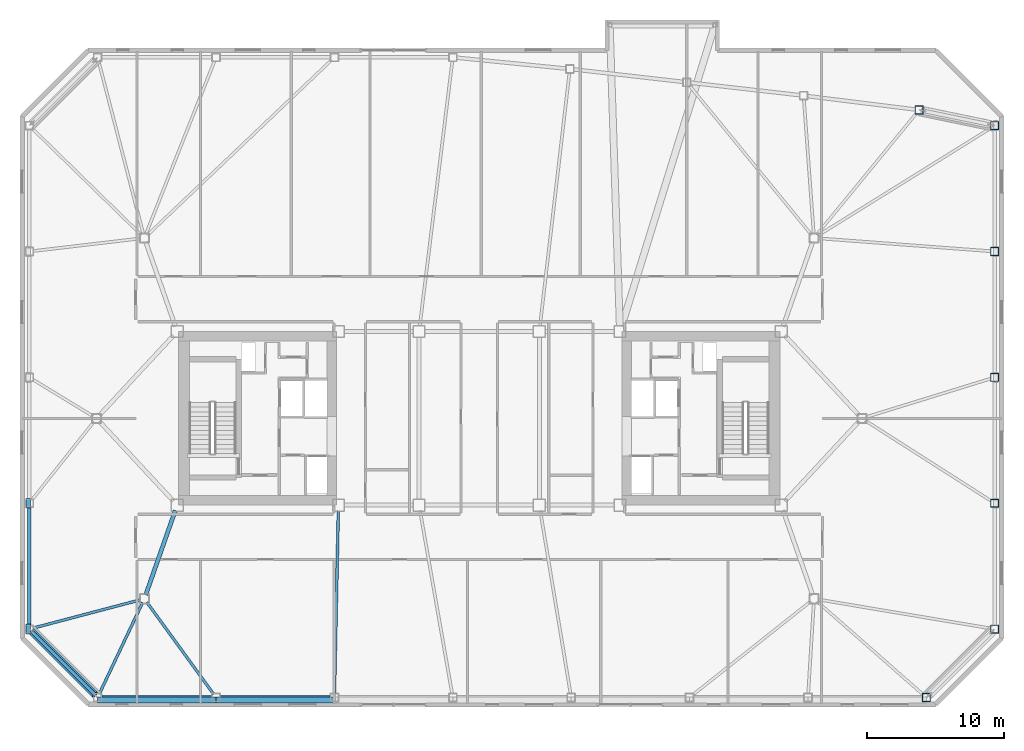
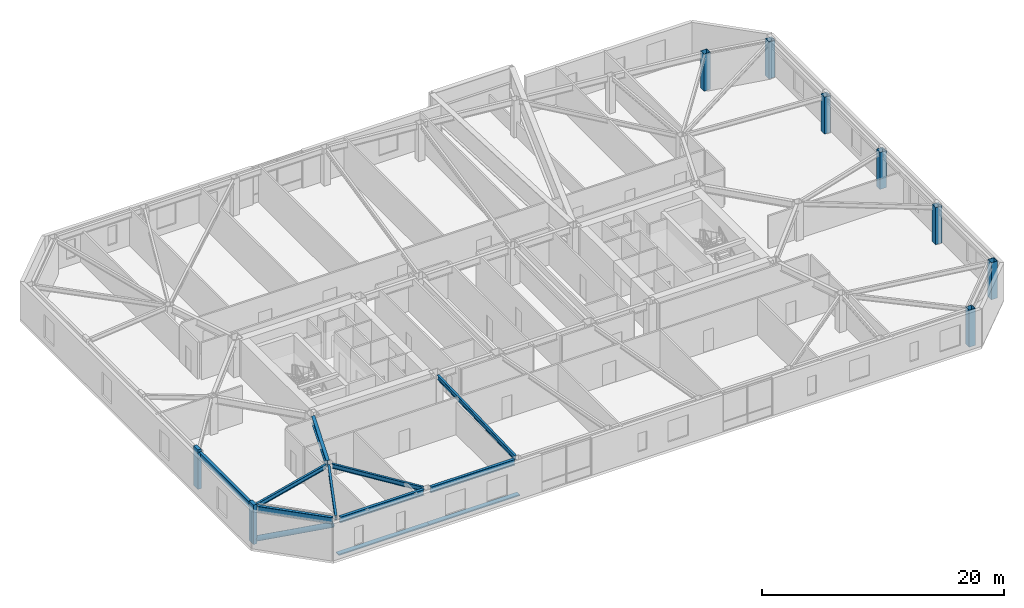
# One storey, part 3 of 18: 9 beams, 7 columns, 5 members.
"""IFC4 building model written with IfcOpenShell, lengths in metres."""

from ifc_helpers import new_model, si_unit, direction, frame, origin, origin_2d, place, context, subcontext, project, spatial, rectangle, hollow_rectangle, hollow_circle, i_section, extrude, material, material_profile, profile_set, type_object, element, save


model = new_model("IFC4")

# Units and contexts
model_context = context("Model", 3, precision=1e-05, world=origin(), true_north=direction((0.0, 1.0)))
body_context = subcontext(model_context, "Body", "Model", "MODEL_VIEW")
ifc_project = project(units=[si_unit("LENGTHUNIT", "METRE"), si_unit("AREAUNIT", "SQUARE_METRE"), si_unit("VOLUMEUNIT", "CUBIC_METRE"), si_unit("PLANEANGLEUNIT", "RADIAN"), si_unit("MASSUNIT", "GRAM", prefix="KILO")], contexts=[model_context])

# Site, building, storey
site_placement = place(None, origin())
site = spatial("IfcSite", under=ifc_project, at=site_placement, CompositionType="ELEMENT")
building_placement = place(site_placement, origin())
building = spatial("IfcBuilding", under=site, at=building_placement, Name="Tavrogorsk Clinical Tower", CompositionType="ELEMENT")
storey_placement = place(building_placement, frame((0.0, 0.0, 180.199951171875)))
storey = spatial("IfcBuildingStorey", under=building, at=storey_placement, Name="L41", CompositionType="ELEMENT", Elevation=180.199951171875)

# Columns
ifc_material_1 = material(Name="Structural steel S440", Category="steel")
ifc_material_profile_1 = material_profile(ifc_material_1, hollow_rectangle(XDim=0.60009765625, YDim=0.60009765625, WallThickness=0.028076171875, at=origin_2d()), Name="BOX-600x600x28")
ifc_profile_set_1 = profile_set([ifc_material_profile_1], Name="Structural steel S440")
column_type = type_object("IfcColumnType", Name="PerimCol_B3_BOX600", PredefinedType="COLUMN", material=ifc_profile_set_1)
for number, where, z_axis, x_axis, name in (
    (1, (32.719970703125, -20.419921875, 0.0), (0.0, 0.0, 1.0), (1.0, 0.0, 0.0), "L41 Perimeter Column S8"),
    (2, (32.19140625, 22.56591796875, 0.0), (0.0, 0.0, 1.0), (1.0, 0.0, 0.0), "L41 Perimeter Column N1"),
    (3, (37.719970703125, -15.419921875, 0.0), (0.0, 0.0, 1.0), (1.0, 0.0, 0.0), "L41 Perimeter Column E1"),
    (4, (37.719970703125, -6.2099609375, 0.0), (0.0, 0.0, 1.0), (1.0, 0.0, 0.0), "L41 Perimeter Column E2"),
    (5, (37.719970703125, 3.0, 0.0), (0.0, 0.0, 1.0), (1.0, 0.0, 0.0), "L41 Perimeter Column E3"),
    (6, (37.719970703125, 12.2099609375, 0.0), (0.0, 0.0, 1.0), (1.0, 0.0, 0.0), "L41 Perimeter Column E4"),
    (7, (37.719970703125, 21.419921875, 0.0), (0.0, 0.0, 1.0), (1.0, 0.0, 0.0), "L41 Perimeter Column E5"),
):
    element("IfcColumn", number, at=place(storey_placement, frame(where, z_axis=z_axis, x_axis=x_axis)), inside=storey, type_object=column_type, Name=name, PredefinedType="COLUMN", context=body_context, shape_type="SweptSolid", body=[
        extrude(hollow_rectangle(XDim=0.60009765625, YDim=0.60009765625, WallThickness=0.028076171875, at=origin_2d()), origin(), (0.0, 0.0, 1.0), 3.739990234375),
    ])

# Members
ifc_material_2 = material(Name="Anodised aluminium alloy AW-6063", Category="aluminium")
ifc_material_profile_2 = material_profile(ifc_material_2, rectangle(XDim=0.449951171875, YDim=0.1201171875, at=origin_2d()), Name="ALU-SUNSHADE-450x120")
ifc_profile_set_2 = profile_set([ifc_material_profile_2], Name="Anodised aluminium alloy AW-6063")
member_type_1 = type_object("IfcMemberType", Name="ChicagoSunshade_450x120", PredefinedType="USERDEFINED", material=ifc_profile_set_2)
for number, where, z_axis, x_axis, name in (
    (8, (-27.919921875, -20.60009765625, 0.179931640625), (1.0, 0.0, 0.0), (0.0, 1.0, 0.0), "L41 South Aluminium Sunshade S1"),
    (9, (-19.257080078125, -20.60009765625, 0.179931640625), (1.0, 0.0, 0.0), (0.0, 1.0, 0.0), "L41 South Aluminium Sunshade S2"),
):
    element("IfcMember", number, at=place(storey_placement, frame(where, z_axis=z_axis, x_axis=x_axis)), inside=storey, type_object=member_type_1, Name=name, ObjectType="SUNSHADE", PredefinedType="USERDEFINED", context=body_context, shape_type="SweptSolid", body=[
        extrude(rectangle(XDim=0.449951171875, YDim=0.1201171875, at=origin_2d()), origin(), (0.0, 0.0, 1.0), 8.662841796875),
    ])
ifc_material_3 = material(Name="Structural steel S440", Category="steel")
ifc_material_profile_3 = material_profile(ifc_material_3, hollow_circle(Radius=0.25390625, WallThickness=0.02001953125, at=origin_2d()), Name="CHS-508x20")
ifc_profile_set_3 = profile_set([ifc_material_profile_3], Name="Structural steel S440")
member_type_2 = type_object("IfcMemberType", Name="ExoBrace_CHS508", PredefinedType="BRACE", material=ifc_profile_set_3)
member_placement = place(storey_placement, frame((-32.717529296875, -15.62255859375, 0.4130859375), z_axis=(0.657758524103, -0.657758524103, 0.367025132572), x_axis=(0.707106781187, 0.707106781187, 0.0)))
element("IfcMember", 10, at=member_placement, inside=storey, type_object=member_type_2, Name="L41 Corner Exoskeleton Brace W5-S1", PredefinedType="BRACE", context=body_context, shape_type="SweptSolid", body=[
    extrude(hollow_circle(Radius=0.25390625, WallThickness=0.02001953125, at=origin_2d()), origin(), (0.0, 0.0, 1.0), 6.98583984375),
])

# Beams
ifc_material_4 = material(Name="Structural steel S355", Category="steel")
ifc_material_profile_4 = material_profile(ifc_material_4, i_section(OverallWidth=0.199951171875, OverallDepth=0.449951171875, WebThickness=0.011474609375, FlangeThickness=0.01806640625, at=origin_2d()), Name="B-450x200x11.5x18")
ifc_profile_set_4 = profile_set([ifc_material_profile_4], Name="Structural steel S355")
beam_type_1 = type_object("IfcBeamType", Name="FloorBeam_B450", PredefinedType="BEAM", material=ifc_profile_set_4)
beam_1_placement = place(storey_placement, frame((-24.6328125, -13.480224609375, 3.51513671875), z_axis=(-0.428073530385, -0.90374390874, 0.0), x_axis=(0.90374390874, -0.428073530385, 0.0)))
element("IfcBeam", 11, at=beam_1_placement, inside=storey, type_object=beam_type_1, Name="L41 Radial Floor Beam S1", PredefinedType="BEAM", context=body_context, shape_type="SweptSolid", body=[
    extrude(i_section(OverallWidth=0.199951171875, OverallDepth=0.449951171875, WebThickness=0.011474609375, FlangeThickness=0.01806640625, at=origin_2d()), origin(), (0.0, 0.0, 1.0), 7.370849609375),
])
beam_2_placement = place(storey_placement, frame((-24.31787109375, -13.450927734375, 3.51513671875), z_axis=(0.587591229638, -0.809157924544, 0.0), x_axis=(0.809157924544, 0.587591229638, 0.0)))
element("IfcBeam", 12, at=beam_2_placement, inside=storey, type_object=beam_type_1, Name="L41 Radial Floor Beam S2", PredefinedType="BEAM", context=body_context, shape_type="SweptSolid", body=[
    extrude(i_section(OverallWidth=0.199951171875, OverallDepth=0.449951171875, WebThickness=0.011474609375, FlangeThickness=0.01806640625, at=origin_2d()), origin(), (0.0, 0.0, 1.0), 8.304931640625),
])
beam_3_placement = place(storey_placement, frame((-10.30859375, -6.760009765625, 3.51513671875), z_axis=(-0.020913325994, -0.999781292481, 0.0), x_axis=(0.999781292481, -0.020913325994, 0.0)))
element("IfcBeam", 13, at=beam_3_placement, inside=storey, type_object=beam_type_1, Name="L41 Radial Floor Beam S3", PredefinedType="BEAM", context=body_context, shape_type="SweptSolid", body=[
    extrude(i_section(OverallWidth=0.199951171875, OverallDepth=0.449951171875, WebThickness=0.011474609375, FlangeThickness=0.01806640625, at=origin_2d()), origin(), (0.0, 0.0, 1.0), 13.35498046875),
])
beam_4_placement = place(storey_placement, frame((-24.7998046875, -13.279052734375, 3.51513671875), z_axis=(-0.966952457073, -0.254956752726, 0.0), x_axis=(0.254956752726, -0.966952457073, 0.0)))
element("IfcBeam", 14, at=beam_4_placement, inside=storey, type_object=beam_type_1, Name="L41 Radial Floor Beam W5", PredefinedType="BEAM", context=body_context, shape_type="SweptSolid", body=[
    extrude(i_section(OverallWidth=0.199951171875, OverallDepth=0.449951171875, WebThickness=0.011474609375, FlangeThickness=0.01806640625, at=origin_2d()), origin(), (0.0, 0.0, 1.0), 8.089599609375),
])

# Members
ifc_material_5 = material(Name="Precast concrete B45 with limestone cladding", Category="masonry")
ifc_material_profile_5 = material_profile(ifc_material_5, rectangle(XDim=0.320068359375, YDim=0.719970703125, at=origin_2d()), Name="LIMESTONE-FIN-320x720")
ifc_profile_set_5 = profile_set([ifc_material_profile_5], Name="Precast concrete B45 with limestone cladding")
member_type_3 = type_object("IfcMemberType", Name="LimestonePleatFin_320x720", PredefinedType="USERDEFINED", material=ifc_profile_set_5)
for number, where, z_axis, x_axis, name in (
    (15, (-33.0, -6.2099609375, 0.0), (0.0, 0.0, 1.0), (1.0, 0.0, 0.0), "L41 W Pleated Stone Fin 3"),
    (16, (-33.0, -15.419921875, 0.0), (0.0, 0.0, 1.0), (1.0, 0.0, 0.0), "L41 W Pleated Stone Fin 4"),
):
    element("IfcMember", number, at=place(storey_placement, frame(where, z_axis=z_axis, x_axis=x_axis)), inside=storey, type_object=member_type_3, Name=name, ObjectType="FIN", PredefinedType="USERDEFINED", context=body_context, shape_type="SweptSolid", body=[
        extrude(rectangle(XDim=0.320068359375, YDim=0.719970703125, at=origin_2d()), origin(), (0.0, 0.0, 1.0), 4.0),
    ])

# Beams
ifc_material_6 = material(Name="Structural steel S390", Category="steel")
ifc_material_profile_6 = material_profile(ifc_material_6, i_section(OverallWidth=0.300048828125, OverallDepth=0.699951171875, WebThickness=0.01708984375, FlangeThickness=0.028076171875, at=origin_2d()), Name="B-700x300x17x28")
ifc_profile_set_6 = profile_set([ifc_material_profile_6], Name="Structural steel S390")
beam_type_2 = type_object("IfcBeamType", Name="PrimaryGirder_B700", PredefinedType="USERDEFINED", material=ifc_profile_set_6)
beam_5_placement = place(storey_placement, frame((-24.3974609375, -12.907470703125, 3.39013671875), z_axis=(0.33065312634, 0.94375235631, 0.0), x_axis=(-0.94375235631, 0.33065312634, 0.0)))
element("IfcBeam", 17, at=beam_5_placement, inside=storey, type_object=beam_type_2, Name="L41 Spine Link Girder OPG-1", ObjectType="GIRDER", PredefinedType="USERDEFINED", context=body_context, shape_type="SweptSolid", body=[
    extrude(i_section(OverallWidth=0.300048828125, OverallDepth=0.699951171875, WebThickness=0.01708984375, FlangeThickness=0.028076171875, at=origin_2d()), origin(), (0.0, 0.0, 1.0), 6.5380859375),
])
ifc_material_7 = material(Name="Structural steel S390", Category="steel")
ifc_material_profile_7 = material_profile(ifc_material_7, i_section(OverallWidth=0.260009765625, OverallDepth=0.60009765625, WebThickness=0.014892578125, FlangeThickness=0.02392578125, at=origin_2d()), Name="B-600x260x15x24")
ifc_profile_set_7 = profile_set([ifc_material_profile_7], Name="Structural steel S390")
beam_type_3 = type_object("IfcBeamType", Name="SpandrelBeam_B600", PredefinedType="SPANDREL", material=ifc_profile_set_7)
for number, where, z_axis, x_axis, name in (
    (18, (-27.612060546875, -20.419921875, 3.43994140625), (1.0, 0.0, 0.0), (0.0, 1.0, 0.0), "L41 Perimeter Spandrel S1-S2"),
    (19, (-18.94921875, -20.419921875, 3.43994140625), (1.0, 0.0, 0.0), (0.0, 1.0, 0.0), "L41 Perimeter Spandrel S2-S3"),
):
    element("IfcBeam", number, at=place(storey_placement, frame(where, z_axis=z_axis, x_axis=x_axis)), inside=storey, type_object=beam_type_3, Name=name, PredefinedType="SPANDREL", context=body_context, shape_type="SweptSolid", body=[
        extrude(i_section(OverallWidth=0.260009765625, OverallDepth=0.60009765625, WebThickness=0.014892578125, FlangeThickness=0.02392578125, at=origin_2d()), origin(), (0.0, 0.0, 1.0), 8.046875),
    ])
beam_6_placement = place(storey_placement, frame((-32.919921875, -6.51806640625, 3.43994140625), z_axis=(0.0, -1.0, 0.0), x_axis=(1.0, 0.0, 0.0)))
element("IfcBeam", 20, at=beam_6_placement, inside=storey, type_object=beam_type_3, Name="L41 Perimeter Spandrel W4-W5", PredefinedType="SPANDREL", context=body_context, shape_type="SweptSolid", body=[
    extrude(i_section(OverallWidth=0.260009765625, OverallDepth=0.60009765625, WebThickness=0.014892578125, FlangeThickness=0.02392578125, at=origin_2d()), origin(), (0.0, 0.0, 1.0), 8.593994140625),
])
beam_7_placement = place(storey_placement, frame((-32.7021484375, -15.6376953125, 3.43994140625), z_axis=(0.707106781187, -0.707106781187, 0.0), x_axis=(0.707106781187, 0.707106781187, 0.0)))
element("IfcBeam", 21, at=beam_7_placement, inside=storey, type_object=beam_type_3, Name="L41 Perimeter Spandrel W5-S1", PredefinedType="SPANDREL", context=body_context, shape_type="SweptSolid", body=[
    extrude(i_section(OverallWidth=0.260009765625, OverallDepth=0.60009765625, WebThickness=0.014892578125, FlangeThickness=0.02392578125, at=origin_2d()), origin(), (0.0, 0.0, 1.0), 6.455078125),
])

save(model, "model.ifc")
